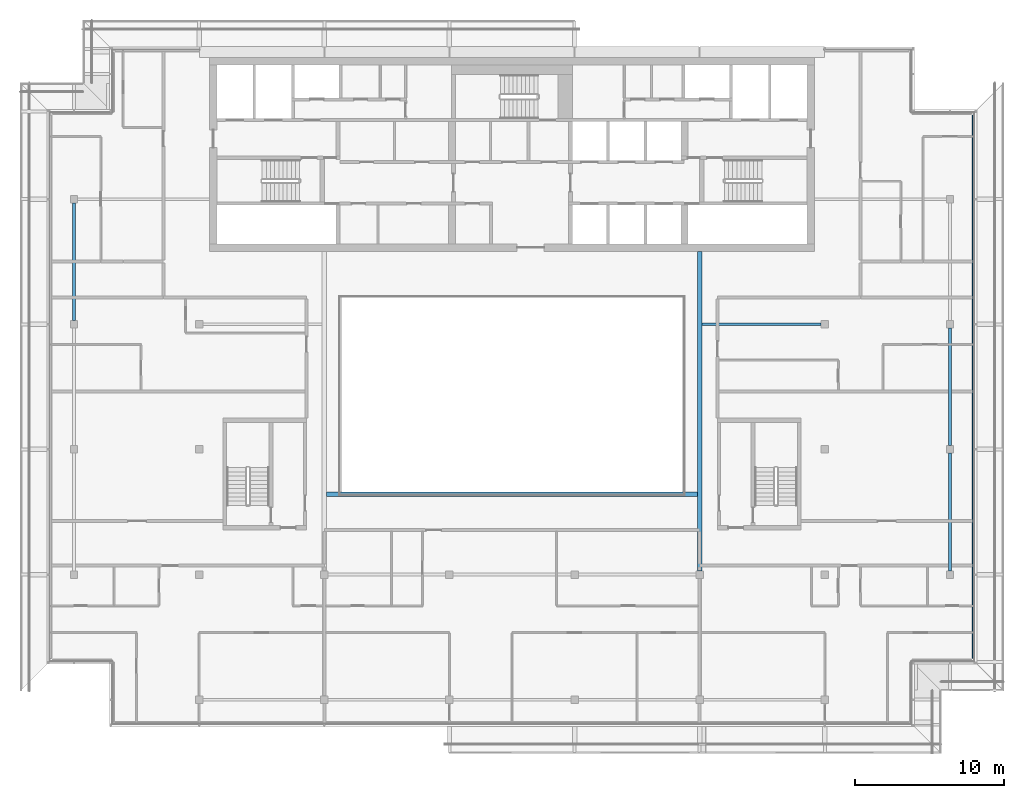
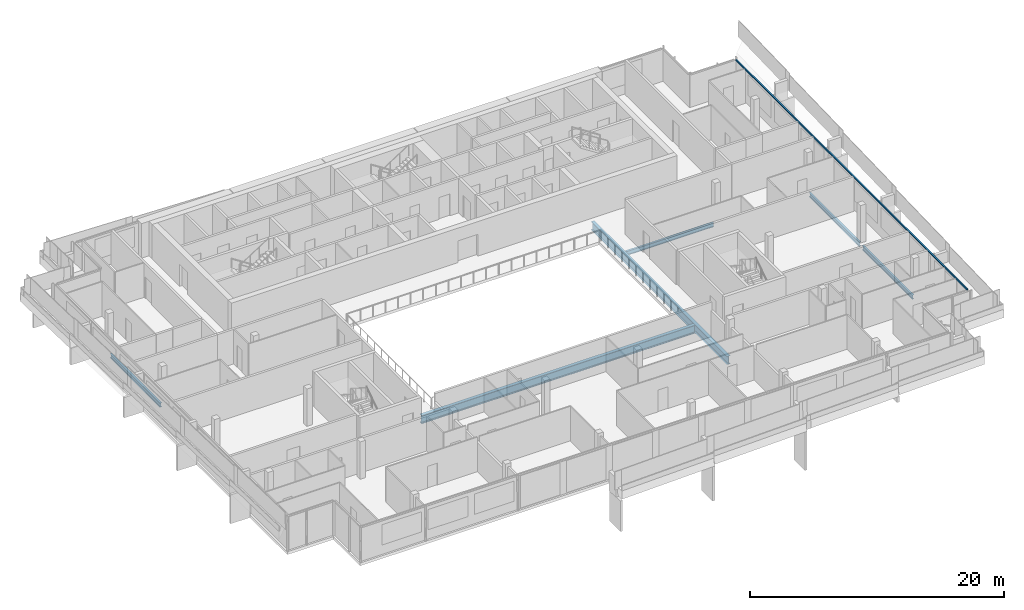
# One storey, part 7 of 26: 6 beams, 1 member, 1 element without a shape of its own.
"""IFC4 building model written with IfcOpenShell, lengths in metres."""

from ifc_helpers import new_model, si_unit, direction, frame, origin, origin_2d, place, context, subcontext, project, spatial, rectangle, i_section, extrude, material, material_profile, profile_set, type_object, element, aggregate, save


model = new_model("IFC4")

# Units and contexts
model_context = context("Model", 3, precision=1e-05, world=origin(), true_north=direction((0.0, 1.0)))
body_context = subcontext(model_context, "Body", "Model", "MODEL_VIEW")
ifc_project = project(units=[si_unit("LENGTHUNIT", "METRE"), si_unit("AREAUNIT", "SQUARE_METRE"), si_unit("VOLUMEUNIT", "CUBIC_METRE"), si_unit("PLANEANGLEUNIT", "RADIAN"), si_unit("MASSUNIT", "GRAM", prefix="KILO")], contexts=[model_context])

# Site, building, storey
site_placement = place(None, origin())
site = spatial("IfcSite", under=ifc_project, at=site_placement, CompositionType="ELEMENT")
building_placement = place(site_placement, origin())
building = spatial("IfcBuilding", under=site, at=building_placement, Name="Saffron Gate Tower", CompositionType="ELEMENT")
storey_placement = place(building_placement, frame((0.0, 0.0, 277.949951171875)))
storey = spatial("IfcBuildingStorey", under=building, at=storey_placement, Name="L67", CompositionType="ELEMENT", Elevation=277.949951171875)

# Beams
ifc_material_1 = material(Name="Structural steel S355", Category="steel")
ifc_material_profile_1 = material_profile(ifc_material_1, i_section(OverallWidth=0.300048828125, OverallDepth=0.7900390625, WebThickness=0.014892578125, FlangeThickness=0.028076171875, FilletRadius=0.030029296875, at=origin_2d()))
ifc_profile_set_1 = profile_set([ifc_material_profile_1], Name="Structural steel S355")
beam_type_1 = type_object("IfcBeamType", Name="B18 HEA 800", PredefinedType="BEAM", material=ifc_profile_set_1)
beam_1_placement = place(storey_placement, frame((100.199951171875, 40.449951171875, -0.675048828125), z_axis=(0.0, 1.0, 0.0), x_axis=(-1.0, 0.0, 0.0)))
element("IfcBeam", 1, at=beam_1_placement, inside=storey, type_object=beam_type_1, Name="B18 ATRIUM GIRDER", PredefinedType="BEAM", context=body_context, shape_type="SweptSolid", body=[
    extrude(i_section(OverallWidth=0.300048828125, OverallDepth=0.7900390625, WebThickness=0.014892578125, FlangeThickness=0.028076171875, FilletRadius=0.030029296875, at=origin_2d()), origin(), (0.0, 0.0, 1.0), 21.449951171875),
])
beam_2_placement = place(storey_placement, frame((75.14990234375, 45.60009765625, -0.675048828125), z_axis=(1.0, 0.0, 0.0), x_axis=(0.0, 1.0, 0.0)))
element("IfcBeam", 2, at=beam_2_placement, inside=storey, type_object=beam_type_1, Name="B18 ATRIUM GIRDER", PredefinedType="BEAM", context=body_context, shape_type="SweptSolid", body=[
    extrude(i_section(OverallWidth=0.300048828125, OverallDepth=0.7900390625, WebThickness=0.014892578125, FlangeThickness=0.028076171875, FilletRadius=0.030029296875, at=origin_2d()), origin(), (0.0, 0.0, 1.0), 24.900146484375),
])
ifc_material_profile_2 = material_profile(ifc_material_1, i_section(OverallWidth=0.179931640625, OverallDepth=0.39990234375, WebThickness=0.008544921875, FlangeThickness=0.013427734375, FilletRadius=0.02099609375, at=origin_2d()))
ifc_profile_set_2 = profile_set([ifc_material_profile_2], Name="Structural steel S355")
beam_type_2 = type_object("IfcBeamType", Name="B4 IPE 400", PredefinedType="BEAM", material=ifc_profile_set_2)
beam_3_placement = place(storey_placement, frame((108.35009765625, 57.0, -0.47998046875), z_axis=(-1.0, 0.0, 0.0), x_axis=(0.0, -1.0, 0.0)))
element("IfcBeam", 3, at=beam_3_placement, inside=storey, type_object=beam_type_2, Name="B4 CORE TIE BEAM", PredefinedType="BEAM", context=body_context, shape_type="SweptSolid", body=[
    extrude(i_section(OverallWidth=0.179931640625, OverallDepth=0.39990234375, WebThickness=0.008544921875, FlangeThickness=0.013427734375, FilletRadius=0.02099609375, at=origin_2d()), origin(), (0.0, 0.0, 1.0), 8.0),
])
ifc_material_profile_3 = material_profile(ifc_material_1, i_section(OverallWidth=0.179931640625, OverallDepth=0.39990234375, WebThickness=0.008544921875, FlangeThickness=0.013427734375, FilletRadius=0.02099609375, at=origin_2d()))
ifc_profile_set_3 = profile_set([ifc_material_profile_3], Name="Structural steel S355")
beam_type_3 = type_object("IfcBeamType", Name="B5 IPE 400", PredefinedType="SPANDREL", material=ifc_profile_set_3)
beam_4_placement = place(storey_placement, frame((58.199951171875, 57.25, -0.47998046875), z_axis=(0.0, 1.0, 0.0), x_axis=(-1.0, 0.0, 0.0)))
element("IfcBeam", 4, at=beam_4_placement, inside=storey, type_object=beam_type_3, Name="B5 SPANDREL BEAM", PredefinedType="SPANDREL", context=body_context, shape_type="SweptSolid", body=[
    extrude(i_section(OverallWidth=0.179931640625, OverallDepth=0.39990234375, WebThickness=0.008544921875, FlangeThickness=0.013427734375, FilletRadius=0.02099609375, at=origin_2d()), origin(), (0.0, 0.0, 1.0), 7.89990234375),
])
beam_5_placement = place(storey_placement, frame((117.0, 40.449951171875, -0.47998046875), z_axis=(0.0, 1.0, 0.0), x_axis=(-1.0, 0.0, 0.0)))
element("IfcBeam", 5, at=beam_5_placement, inside=storey, type_object=beam_type_3, Name="B5 SPANDREL BEAM", PredefinedType="SPANDREL", context=body_context, shape_type="SweptSolid", body=[
    extrude(i_section(OverallWidth=0.179931640625, OverallDepth=0.39990234375, WebThickness=0.008544921875, FlangeThickness=0.013427734375, FilletRadius=0.02099609375, at=origin_2d()), origin(), (0.0, 0.0, 1.0), 7.900146484375),
])
beam_6_placement = place(storey_placement, frame((117.0, 48.85009765625, -0.47998046875), z_axis=(0.0, 1.0, 0.0), x_axis=(-1.0, 0.0, 0.0)))
element("IfcBeam", 6, at=beam_6_placement, inside=storey, type_object=beam_type_3, Name="B5 SPANDREL BEAM", PredefinedType="SPANDREL", context=body_context, shape_type="SweptSolid", body=[
    extrude(i_section(OverallWidth=0.179931640625, OverallDepth=0.39990234375, WebThickness=0.008544921875, FlangeThickness=0.013427734375, FilletRadius=0.02099609375, at=origin_2d()), origin(), (0.0, 0.0, 1.0), 7.89990234375),
])

# Curtain wall, member
ifc_material_2 = material(Name="Aluminium, bronze anodised", Category="aluminium")
curtain_wall_type = type_object("IfcCurtainWallType", Name="CWS2 curtain wall side facades", PredefinedType="NOTDEFINED", material=ifc_material_2)
curtain_wall_placement = place(storey_placement, origin())
curtain_wall = element("IfcCurtainWall", 7, at=curtain_wall_placement, inside=storey, type_object=curtain_wall_type, Name="CWS2 run 4", PredefinedType="NOTDEFINED")
ifc_material_profile_4 = material_profile(ifc_material_2, rectangle(XDim=0.1201171875, YDim=0.1201171875, at=origin_2d()))
ifc_profile_set_4 = profile_set([ifc_material_profile_4], Name="Aluminium, bronze anodised")
member_type = type_object("IfcMemberType", Name="CWS2 head transom", PredefinedType="USERDEFINED", material=ifc_profile_set_4)
member_placement = place(storey_placement, frame((118.552001953125, 34.568115234375, 3.260009765625), z_axis=(0.0, 1.0, 0.0), x_axis=(-1.0, 0.0, 0.0)))
member = element("IfcMember", 8, at=member_placement, type_object=member_type, Name="CWS2 head transom", ObjectType="TRANSOM", PredefinedType="USERDEFINED", context=body_context, shape_type="SweptSolid", body=[
    extrude(rectangle(XDim=0.1201171875, YDim=0.1201171875, at=origin_2d()), origin(), (0.0, 0.0, 1.0), 36.4638671875),
])
aggregate(curtain_wall, [member])

save(model, "model.ifc")
